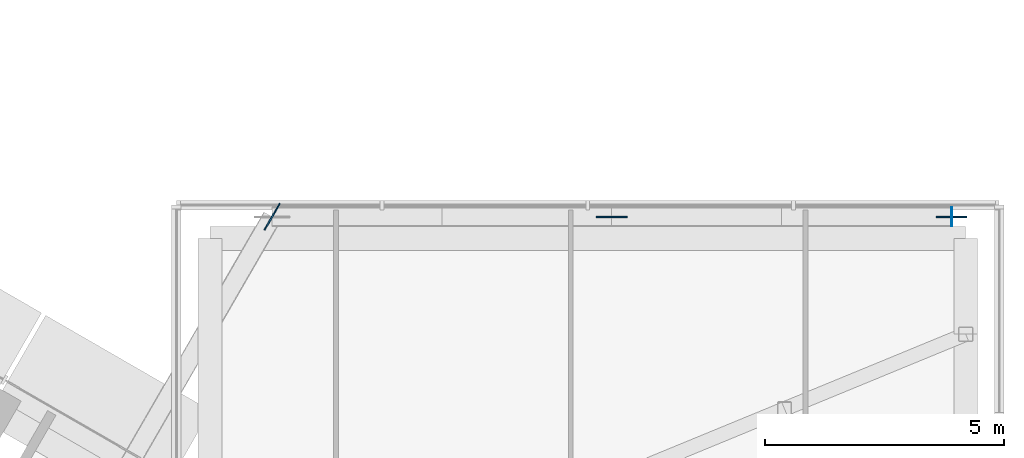
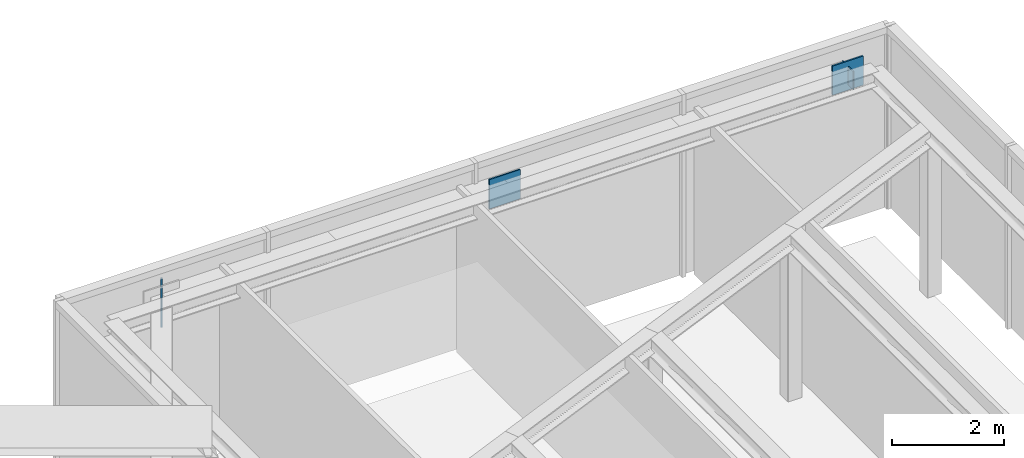
# One storey, part 21 of 24: 4 discrete accessories.
"""IFC4 building model written with IfcOpenShell, lengths in metres."""

from ifc_helpers import new_model, si_unit, direction, frame, origin, origin_2d, place, context, subcontext, project, spatial, rectangle, extrude, material, layer, layer_set, type_object, element, save


model = new_model("IFC4")

# Units and contexts
model_context = context("Model", 3, precision=1e-05, world=origin(), true_north=direction((0.0, 1.0)))
body_context = subcontext(model_context, "Body", "Model", "MODEL_VIEW")
ifc_project = project(units=[si_unit("LENGTHUNIT", "METRE"), si_unit("AREAUNIT", "SQUARE_METRE"), si_unit("VOLUMEUNIT", "CUBIC_METRE"), si_unit("PLANEANGLEUNIT", "RADIAN"), si_unit("MASSUNIT", "GRAM", prefix="KILO")], contexts=[model_context])

# Site, building, storey
site_placement = place(None, origin())
site = spatial("IfcSite", under=ifc_project, at=site_placement, CompositionType="ELEMENT")
building_placement = place(site_placement, origin())
building = spatial("IfcBuilding", under=site, at=building_placement, Name="Ayvan Gate Tower", CompositionType="ELEMENT")
storey_placement = place(building_placement, frame((0.0, 0.0, 128.5)))
storey = spatial("IfcBuildingStorey", under=building, at=storey_placement, Name="L34", CompositionType="ELEMENT", Elevation=128.5)

# Discrete accessories
ifc_material = material(Name="Steel S460ML", Category="steel")
ifc_layer_1 = layer(ifc_material, 0.030029296875)
ifc_layer_set_1 = layer_set([ifc_layer_1], Name="Steel S460ML")
discrete_accessory_type_1 = type_object("IfcDiscreteAccessoryType", Name="Gusset plate 30 mm", PredefinedType="BRACKET", material=ifc_layer_set_1)
for number, where, z_axis, x_axis, name in (
    (1, (20.485595703125, 17.205078125, 3.0302734375), (0.0, 0.0, 1.0), (0.5, 0.866025403784, 0.0), "Gusset plate SBX2-A-D-1"),
    (2, (27.585693359375, 17.205078125, 3.0302734375), (0.0, 0.0, 1.0), (1.0, 0.0, 0.0), "Gusset plate SBX2-A-D-3"),
    (3, (34.685546875, 17.205078125, 3.0302734375), (0.0, 0.0, 1.0), (1.0, 0.0, 0.0), "Gusset plate SBX2-A-D-5"),
):
    element("IfcDiscreteAccessory", number, at=place(storey_placement, frame(where, z_axis=z_axis, x_axis=x_axis)), inside=storey, type_object=discrete_accessory_type_1, Name=name, PredefinedType="BRACKET", context=body_context, shape_type="SweptSolid", body=[
        extrude(rectangle(XDim=0.639892578125, YDim=0.030029296875, at=origin_2d()), origin(), (0.0, 0.0, 1.0), 0.639892578125),
    ])
ifc_layer_2 = layer(ifc_material, 0.02001953125)
ifc_layer_set_2 = layer_set([ifc_layer_2], Name="Steel S460ML")
discrete_accessory_type_2 = type_object("IfcDiscreteAccessoryType", Name="Sky bar end cap plate", PredefinedType="BRACKET", material=ifc_layer_set_2)
discrete_accessory_placement = place(storey_placement, frame((34.695556640625, 17.205078125, 3.150146484375), z_axis=(0.0, 0.0, 1.0), x_axis=(1.0, 0.0, 0.0)))
element("IfcDiscreteAccessory", 4, at=discrete_accessory_placement, inside=storey, type_object=discrete_accessory_type_2, Name="End cap SBX2-A-TC-5:EC", PredefinedType="BRACKET", context=body_context, shape_type="SweptSolid", body=[
    extrude(rectangle(XDim=0.02001953125, YDim=0.39990234375, at=origin_2d()), origin(), (0.0, 0.0, 1.0), 0.39990234375),
])

save(model, "model.ifc")
